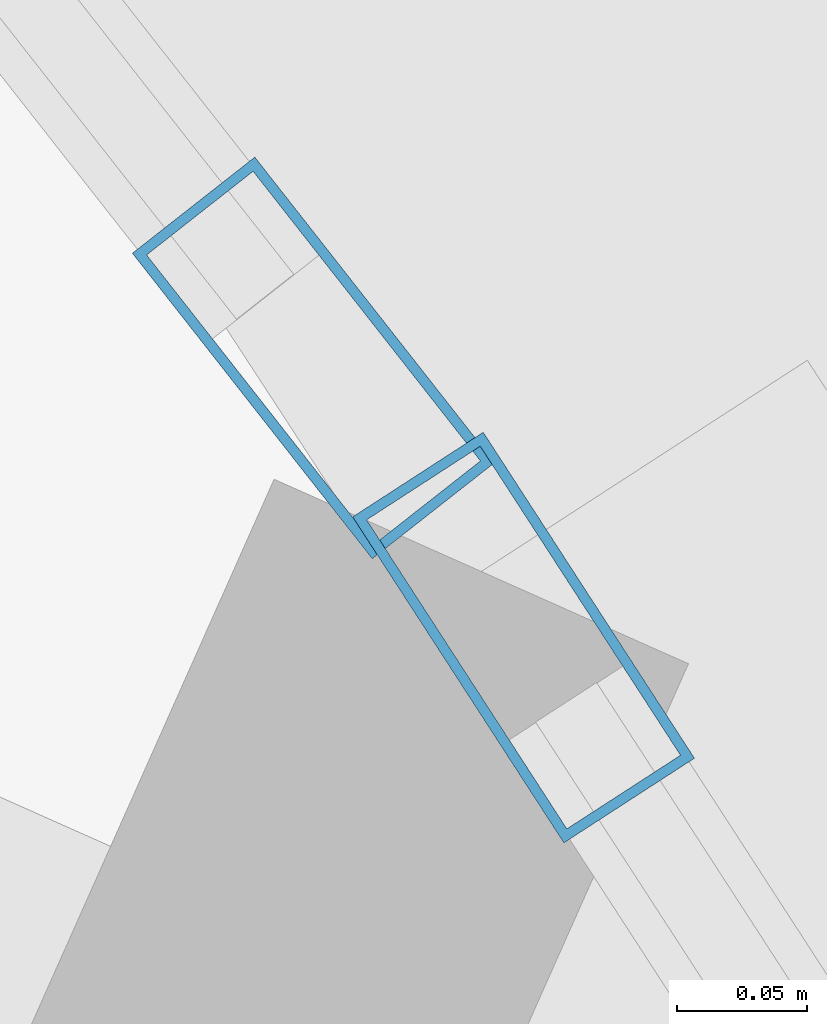
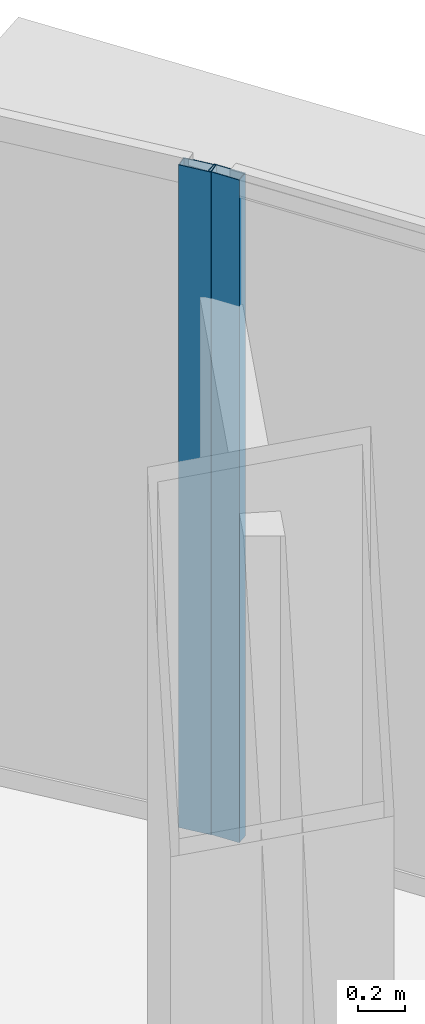
# One storey, part 20 of 42: 2 members, 2 elements without a shape of their own.
"""IFC4 building model written with IfcOpenShell, lengths in metres."""

import ifcopenshell
import ifcopenshell.guid

model = None  # the IFC model being written
_history = None  # IfcOwnerHistory: only IFC2X3 demands one
_inside = {}  # id of a spatial element -> (the spatial element, [elements in it])
_under = {}  # id of a project, library or spatial element -> (it, [spatial elements below it])
_declared = {}  # id of a project -> (the project, [libraries it declares])
_typed = {}  # id of a type object -> (the type object, [elements of that type])
_made_of = {}  # id of a material, layer set ... -> (it, [elements and type objects made of it])


def new_model(schema):
    """Start an empty IFC model of exactly this schema.

    Asked for "IFC4X3", IfcOpenShell would pick the latest addendum, in which some entities
    have other attributes; the version numbers below select the first issue.
    IFC2X3 requires an IfcOwnerHistory on every rooted entity: one is made here for all.
    """
    global model, _history
    if schema == "IFC4X3":
        model = ifcopenshell.file(schema_version=(4, 3, 0, 0))
    else:
        model = ifcopenshell.file(schema=schema)
    _inside.clear()
    _under.clear()
    _declared.clear()
    _typed.clear()
    _made_of.clear()
    _history = None
    if model.schema == "IFC2X3":
        org = make("IfcOrganization", Name="unknown")
        user = make(
            "IfcPersonAndOrganization",
            ThePerson=make("IfcPerson", FamilyName="unknown"),
            TheOrganization=org,
        )
        app = make(
            "IfcApplication",
            ApplicationDeveloper=org,
            Version="unknown",
            ApplicationFullName="unknown",
            ApplicationIdentifier="unknown",
        )
        _history = make(
            "IfcOwnerHistory",
            OwningUser=user,
            OwningApplication=app,
            ChangeAction="ADDED",
            CreationDate=0,
        )
    return model


def make(cls, **values):
    """One entity of the class cls with the attributes given. An attribute that is None is left unset."""
    return model.create_entity(
        cls, **{name: value for name, value in values.items() if value is not None}
    )


def rooted(cls, **values):
    """An entity with a GlobalId (a new one), such as an element, a storey or a relation."""
    return make(cls, GlobalId=ifcopenshell.guid.new(), OwnerHistory=_history, **values)


def si_unit(unit_type, name, prefix=None):
    """IfcSIUnit, for example si_unit("LENGTHUNIT", "METRE", prefix="MILLI")."""
    return make("IfcSIUnit", UnitType=unit_type, Prefix=prefix, Name=name)


def assignment(units):
    """IfcUnitAssignment: the units of a project."""
    return None if units is None else make("IfcUnitAssignment", Units=units)


def point(xyz):
    """IfcCartesianPoint."""
    return None if xyz is None else make("IfcCartesianPoint", Coordinates=xyz)


def direction(xyz):
    """IfcDirection."""
    return None if xyz is None else make("IfcDirection", DirectionRatios=xyz)


def frame(location, z_axis=None, x_axis=None):
    """IfcAxis2Placement3D, a coordinate frame: its origin and axes. An axis left out is left unset."""
    return make(
        "IfcAxis2Placement3D",
        Location=point(location),
        Axis=direction(z_axis),
        RefDirection=direction(x_axis),
    )


def frame_2d(location, x_axis=None):
    """IfcAxis2Placement2D, a coordinate frame in the plane: its origin and x axis."""
    return make(
        "IfcAxis2Placement2D", Location=point(location), RefDirection=direction(x_axis)
    )


def origin():
    """The frame at (0, 0, 0) with its axes left unset."""
    return frame((0.0, 0.0, 0.0))


def origin_2d():
    """The frame at (0, 0) in the plane with its x axis left unset."""
    return frame_2d((0.0, 0.0))


def place(relative_to, where):
    """IfcLocalPlacement: puts the frame where relative to a parent placement (None: the world)."""
    return make(
        "IfcLocalPlacement", PlacementRelTo=relative_to, RelativePlacement=where
    )


def context(
    kind, dimensions, precision=None, world=None, true_north=None, identifier=None
):
    """IfcGeometricRepresentationContext, for example the 3D "Model" context."""
    return make(
        "IfcGeometricRepresentationContext",
        ContextIdentifier=identifier,
        ContextType=kind,
        CoordinateSpaceDimension=dimensions,
        Precision=precision,
        WorldCoordinateSystem=world,
        TrueNorth=true_north,
    )


def subcontext(parent, identifier, kind, view, scale=None):
    """IfcGeometricRepresentationSubContext, for example "Body" below "Model"."""
    return make(
        "IfcGeometricRepresentationSubContext",
        ContextIdentifier=identifier,
        ContextType=kind,
        ParentContext=parent,
        TargetScale=scale,
        TargetView=view,
    )


def project(units=None, contexts=None):
    """IfcProject with its units and contexts."""
    return rooted(
        "IfcProject",
        Name="project",
        RepresentationContexts=contexts,
        UnitsInContext=assignment(units),
    )


def spatial(cls, under=None, at=None, **own):
    """A site, building, storey or space (cls), placed at a placement, below another one or the project."""
    s = rooted(cls, ObjectPlacement=at, **own)
    if under is not None:
        _under.setdefault(under.id(), (under, []))[1].append(s)
    return s


def profile(cls, at=None, kind="AREA", **sizes):
    """A parametric profile (cls). Its sizes go by their IFC names, for example OverallWidth=200.0."""
    return make(cls, ProfileType=kind, Position=at, **sizes)


def hollow_rectangle(**sizes):
    """IfcRectangleHollowProfileDef."""
    return profile("IfcRectangleHollowProfileDef", **sizes)


def extrude(swept, where, along, depth):
    """IfcExtrudedAreaSolid: the profile swept, set in the frame where, extruded along a direction by depth."""
    return make(
        "IfcExtrudedAreaSolid",
        SweptArea=swept,
        Position=where,
        ExtrudedDirection=direction(along),
        Depth=depth,
    )


def shape(context_of_items, identifier, shape_type, items):
    """IfcShapeRepresentation: the items that make up one representation, for example the "Body"."""
    return make(
        "IfcShapeRepresentation",
        ContextOfItems=context_of_items,
        RepresentationIdentifier=identifier,
        RepresentationType=shape_type,
        Items=items,
    )


def source(mapping_origin, context_of_items, identifier, shape_type, items):
    """IfcRepresentationMap: a shape defined once, which mapped items show again and again."""
    return make(
        "IfcRepresentationMap",
        MappingOrigin=mapping_origin,
        MappedRepresentation=shape(context_of_items, identifier, shape_type, items),
    )


def transform(
    local_origin,
    x_axis=None,
    y_axis=None,
    z_axis=None,
    scale=None,
    scale2=None,
    scale3=None,
    uniform=True,
):
    """IfcCartesianTransformationOperator3D, or its non-uniform kind. x_axis, y_axis, z_axis: its Axis1, 2, 3."""
    if uniform:
        return make(
            "IfcCartesianTransformationOperator3D",
            Axis1=direction(x_axis),
            Axis2=direction(y_axis),
            LocalOrigin=point(local_origin),
            Scale=scale,
            Axis3=direction(z_axis),
        )
    return make(
        "IfcCartesianTransformationOperator3DnonUniform",
        Axis1=direction(x_axis),
        Axis2=direction(y_axis),
        LocalOrigin=point(local_origin),
        Scale=scale,
        Axis3=direction(z_axis),
        Scale2=scale2,
        Scale3=scale3,
    )


def mapped(mapping_source, mapping_target):
    """IfcMappedItem: shows the shape of a source again, moved by a transform."""
    return make(
        "IfcMappedItem", MappingSource=mapping_source, MappingTarget=mapping_target
    )


def material(Name=None, Category=None):
    """IfcMaterial."""
    return make("IfcMaterial", Name=Name, Category=Category)


def layer(
    of_material, thickness, ventilated=None, Name=None, Category=None, Priority=None
):
    """IfcMaterialLayer: one layer of a wall or slab, of a material (None: an air gap)."""
    return make(
        "IfcMaterialLayer",
        Material=of_material,
        LayerThickness=thickness,
        IsVentilated=ventilated,
        Name=Name,
        Category=Category,
        Priority=Priority,
    )


def layer_set(layers, Name=None):
    """IfcMaterialLayerSet."""
    return make("IfcMaterialLayerSet", MaterialLayers=layers, LayerSetName=Name)


def material_profile(
    of_material, cross_section, Name=None, Category=None, Priority=None
):
    """IfcMaterialProfile: a cross section and its material."""
    return make(
        "IfcMaterialProfile",
        Name=Name,
        Material=of_material,
        Profile=cross_section,
        Priority=Priority,
        Category=Category,
    )


def profile_set(profiles, Name=None, composite=None):
    """IfcMaterialProfileSet."""
    return make(
        "IfcMaterialProfileSet",
        Name=Name,
        MaterialProfiles=profiles,
        CompositeProfile=composite,
    )


def made_of(thing, what):
    """Note that an element or type object is made of a material, layer set ...; save() writes the relation."""
    if what is not None:
        _made_of.setdefault(what.id(), (what, []))[1].append(thing)
    return thing


def type_object(cls, material=None, **own):
    """A type object (cls), such as IfcWallType, which elements share."""
    return made_of(rooted(cls, **own), material)


def element(
    cls,
    number,
    at=None,
    inside=None,
    cuts=None,
    type_object=None,
    material=None,
    context=None,
    identifier="Body",
    shape_type=None,
    held_by="IfcProductDefinitionShape",
    body=None,
    shapes=None,
    **own,
):
    """One element of the class cls, such as IfcWall. Its Tag is "e" and its number.

    at: its placement. inside: the storey or other place that contains it. cuts: it is an
    opening in that element (IfcRelVoidsElement). A single representation is given by context,
    identifier, shape_type and body (its items); several are given by shapes. held_by: the class
    of the entity that holds the representations. save() writes the other relations.
    """
    e = rooted(cls, Tag="e%d" % number, ObjectPlacement=at, **own)
    if body is not None:
        shapes = [shape(context, identifier, shape_type, body)]
    if shapes is not None:
        e.Representation = make(held_by, Representations=shapes)
    if inside is not None:
        _inside.setdefault(inside.id(), (inside, []))[1].append(e)
    if cuts is not None:
        rooted(
            "IfcRelVoidsElement", RelatingBuildingElement=cuts, RelatedOpeningElement=e
        )
    if type_object is not None:
        _typed.setdefault(type_object.id(), (type_object, []))[1].append(e)
    return made_of(e, material)


def aggregate(whole, parts):
    """IfcRelAggregates: a whole, such as a stair, and the parts it consists of."""
    return rooted("IfcRelAggregates", RelatingObject=whole, RelatedObjects=parts)


def save(model, path):
    """Write the relations noted so far, then the file.

    IfcRelAggregates (storeys below a building ...), IfcRelContainedInSpatialStructure (elements
    in a storey), IfcRelDefinesByType, IfcRelAssociatesMaterial and IfcRelDeclares: one each for
    every whole, place, type object, material and project.
    """
    for whole, parts in _under.values():
        aggregate(whole, parts)
    for where, things in _inside.values():
        rooted(
            "IfcRelContainedInSpatialStructure",
            RelatedElements=things,
            RelatingStructure=where,
        )
    for kind, things in _typed.values():
        rooted("IfcRelDefinesByType", RelatedObjects=things, RelatingType=kind)
    for what, things in _made_of.values():
        rooted("IfcRelAssociatesMaterial", RelatedObjects=things, RelatingMaterial=what)
    for by, libraries in _declared.values():
        rooted("IfcRelDeclares", RelatingContext=by, RelatedDefinitions=libraries)
    model.write(path)


model = new_model("IFC4")

# Units and contexts
model_context = context("Model", 3, precision=1e-05, world=origin(), true_north=direction((0.0, 1.0)))
body_context = subcontext(model_context, "Body", "Model", "MODEL_VIEW")
ifc_project = project(units=[si_unit("LENGTHUNIT", "METRE"), si_unit("AREAUNIT", "SQUARE_METRE"), si_unit("VOLUMEUNIT", "CUBIC_METRE"), si_unit("PLANEANGLEUNIT", "RADIAN"), si_unit("MASSUNIT", "GRAM", prefix="KILO"), si_unit("THERMODYNAMICTEMPERATUREUNIT", "KELVIN"), si_unit("POWERUNIT", "WATT")], contexts=[model_context])

# Site, building, storey
site_placement = place(None, origin())
site = spatial("IfcSite", under=ifc_project, at=site_placement, CompositionType="ELEMENT")
building_placement = place(site_placement, origin())
building = spatial("IfcBuilding", under=site, at=building_placement, Name="Yunzhuo Pagoda Commons", CompositionType="ELEMENT")
storey_placement = place(building_placement, frame((0.0, 0.0, 133.510009765625)))
storey = spatial("IfcBuildingStorey", under=building, at=storey_placement, Name="L33", CompositionType="ELEMENT", Elevation=133.510009765625)

# Curtain wall, member
ifc_material = material(Name="Anodized aluminium 6063-T6", Category="aluminium")
ifc_layer = layer(ifc_material, 0.14990234375)
ifc_layer_set = layer_set([ifc_layer], Name="Anodized aluminium 6063-T6")
curtain_wall_type = type_object("IfcCurtainWallType", Name="CW-MID Mid-Zone Ribbon Curtain Wall", PredefinedType="NOTDEFINED", material=ifc_layer_set)
curtain_wall_1_placement = place(storey_placement, origin())
curtain_wall_1 = element("IfcCurtainWall", 1, at=curtain_wall_1_placement, inside=storey, type_object=curtain_wall_type, Name="L33 curtain wall CW-L33-F2B4", PredefinedType="NOTDEFINED")
ifc_material_profile = material_profile(ifc_material, hollow_rectangle(XDim=0.06005859375, YDim=0.14990234375, WallThickness=0.00390625, at=origin_2d()), Name="Anodized aluminium 6063-T6")
ifc_profile_set = profile_set([ifc_material_profile], Name="Anodized aluminium 6063-T6")
member_type = type_object("IfcMemberType", Name="CW-MID-M Mullion RHS 150x60x4", PredefinedType="MULLION", material=ifc_profile_set)
shared_shape = source(origin(), body_context, "Body", "SweptSolid", [
    extrude(hollow_rectangle(XDim=0.06005859375, YDim=0.14990234375, WallThickness=0.00390625, at=origin_2d()), origin(), (0.0, 0.0, 1.0), 3.419921875),
])
member_1_placement = place(storey_placement, frame((64.2509765625, 70.138427734375, 0.0), z_axis=(0.0, 0.0, 1.0), x_axis=(-0.839249165596, -0.543747034977, 0.0)))
member_1 = element("IfcMember", 2, at=member_1_placement, type_object=member_type, Name="CW mullion 2", PredefinedType="MULLION", context=body_context, shape_type="MappedRepresentation", body=[
    mapped(shared_shape, transform((0.0, 0.0, 0.0), scale=1.0)),
])
aggregate(curtain_wall_1, [member_1])

curtain_wall_2_placement = place(storey_placement, origin())
curtain_wall_2 = element("IfcCurtainWall", 3, at=curtain_wall_2_placement, inside=storey, type_object=curtain_wall_type, Name="L33 curtain wall CW-L33-F2B5", PredefinedType="NOTDEFINED")
member_2_placement = place(storey_placement, frame((64.169921875, 70.246337890625, 0.0), z_axis=(0.0, 0.0, 1.0), x_axis=(-0.786571576347, -0.617499113588, 0.0)))
member_2 = element("IfcMember", 4, at=member_2_placement, type_object=member_type, Name="CW mullion 1", PredefinedType="MULLION", context=body_context, shape_type="MappedRepresentation", body=[
    mapped(shared_shape, transform((0.0, 0.0, 0.0), scale=1.0)),
])
aggregate(curtain_wall_2, [member_2])

save(model, "model.ifc")
